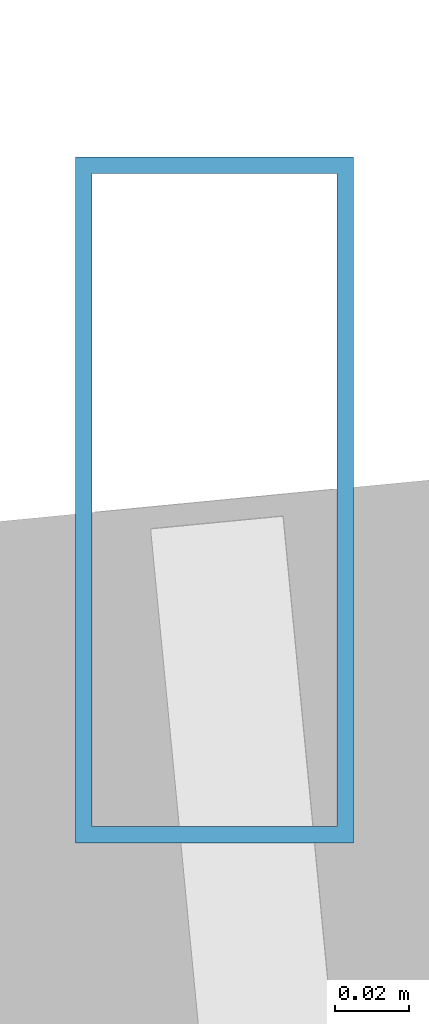
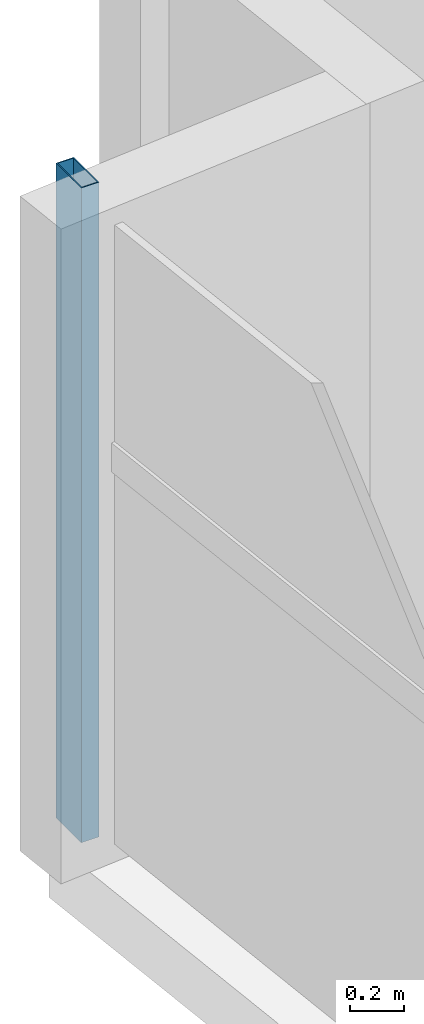
# One storey, part 8 of 27: 1 member, 1 element without a shape of its own.
"""IFC4 building model written with IfcOpenShell, lengths in metres."""

from ifc_helpers import new_model, si_unit, direction, frame, origin, origin_2d, place, context, subcontext, project, spatial, hollow_rectangle, extrude, source, transform, mapped, material, material_profile, profile_set, type_object, type_shapes, element, aggregate, save


model = new_model("IFC4")

# Units and contexts
model_context = context("Model", 3, precision=1e-05, world=origin(), true_north=direction((0.0, 1.0)))
body_context = subcontext(model_context, "Body", "Model", "MODEL_VIEW")
ifc_project = project(units=[si_unit("LENGTHUNIT", "METRE"), si_unit("AREAUNIT", "SQUARE_METRE"), si_unit("VOLUMEUNIT", "CUBIC_METRE"), si_unit("PLANEANGLEUNIT", "RADIAN"), si_unit("MASSUNIT", "GRAM", prefix="KILO")], contexts=[model_context])

# Site, building, storey
site_placement = place(None, origin())
site = spatial("IfcSite", under=ifc_project, at=site_placement, CompositionType="ELEMENT")
building_placement = place(site_placement, origin())
building = spatial("IfcBuilding", under=site, at=building_placement, Name="Astriad Promenade Condominiums", CompositionType="ELEMENT")
storey_placement = place(building_placement, frame((0.0, 0.0, 87.39990234375)))
storey = spatial("IfcBuildingStorey", under=building, at=storey_placement, Name="L24", CompositionType="ELEMENT", Elevation=87.39990234375)

# Curtain wall, member
ifc_material_1 = material(Name="Anodised aluminium Black Dark Glass Unitised", Category="aluminium")
curtain_wall_type = type_object("IfcCurtainWallType", Name="CW-B2-DARK", PredefinedType="USERDEFINED", material=ifc_material_1)
curtain_wall_placement = place(storey_placement, origin())
curtain_wall = element("IfcCurtainWall", 1, at=curtain_wall_placement, inside=storey, type_object=curtain_wall_type, Name="CW-L24-W", ObjectType="UNITISED_CURTAIN_WALL", PredefinedType="USERDEFINED")
ifc_material_2 = material(Name="Anodised aluminium 6063-T6 Black", Category="aluminium")
ifc_material_profile = material_profile(ifc_material_2, hollow_rectangle(XDim=0.074951171875, YDim=0.18505859375, WallThickness=0.00439453125, at=origin_2d()), Name="ALU-MUL-75X185")
ifc_profile_set = profile_set([ifc_material_profile], Name="Anodised aluminium 6063-T6 Black")
member_type = type_object("IfcMemberType", Name="MUL-ALU-MUL-75X185", PredefinedType="MULLION", material=ifc_profile_set)
shared_shape = source(origin(), body_context, "Body", "SweptSolid", [
    extrude(hollow_rectangle(XDim=0.074951171875, YDim=0.18505859375, WallThickness=0.00439453125, at=origin_2d()), origin(), (0.0, 0.0, 1.0), 2.940185546875),
])
type_shapes(member_type, [shared_shape])
member_placement = place(storey_placement, frame((8.94775390625, 20.921875, 0.0), z_axis=(0.0, 0.0, 1.0), x_axis=(1.0, 0.0, 0.0)))
member = element("IfcMember", 2, at=member_placement, type_object=member_type, Name="CW-L24-W-MUL-03", PredefinedType="MULLION", context=body_context, shape_type="MappedRepresentation", body=[
    mapped(shared_shape, transform((0.0, 0.0, 0.0), scale=1.0)),
])
aggregate(curtain_wall, [member])

save(model, "model.ifc")
